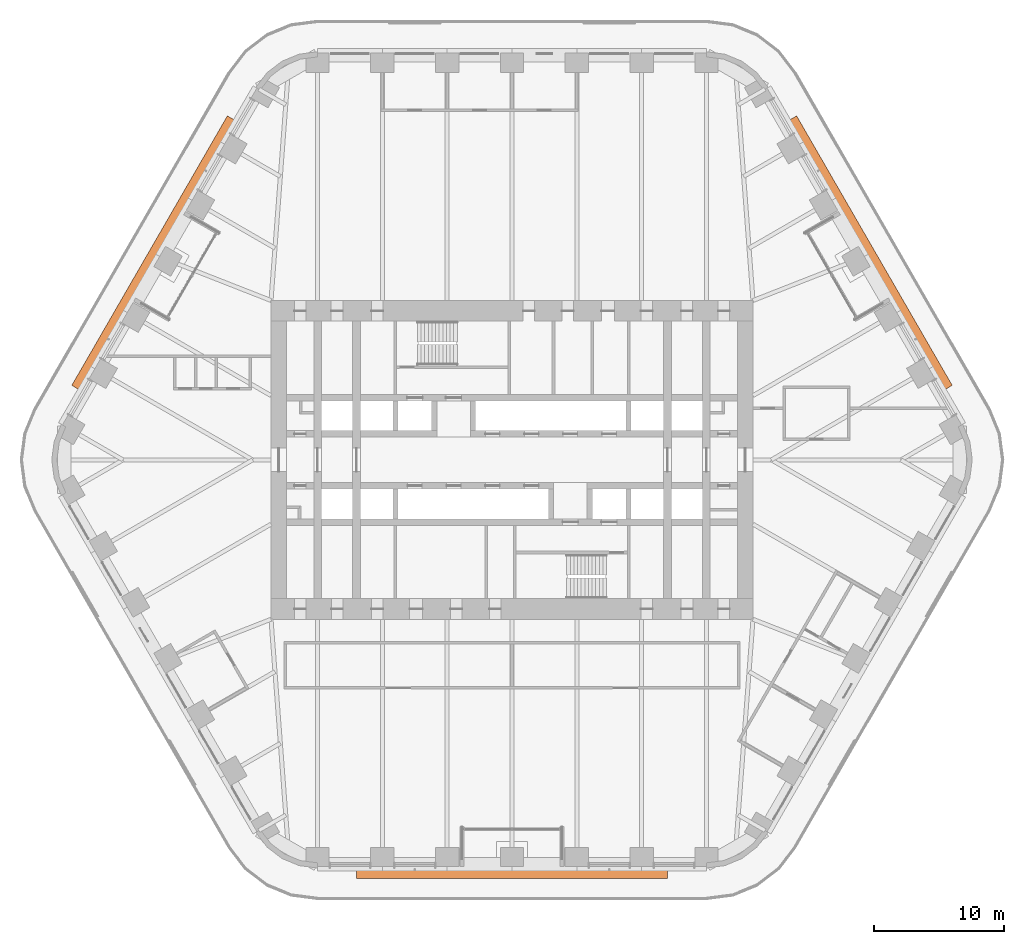
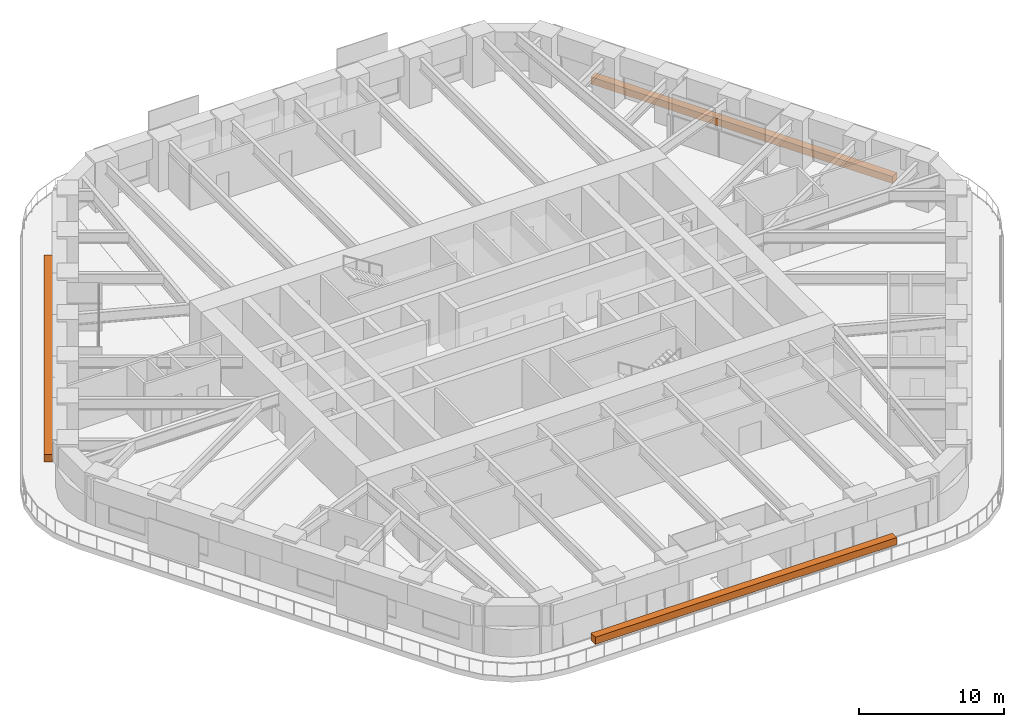
# One storey, part 24 of 24: 3 proxies.
"""IFC4 building model written with IfcOpenShell, lengths in metres."""

from ifc_helpers import new_model, si_unit, direction, frame, origin, origin_2d, place, context, subcontext, project, spatial, rectangle, extrude, material, element, save


model = new_model("IFC4")

# Units and contexts
model_context = context("Model", 3, precision=1e-05, world=origin(), true_north=direction((0.0, 1.0)))
body_context = subcontext(model_context, "Body", "Model", "MODEL_VIEW")
ifc_project = project(units=[si_unit("LENGTHUNIT", "METRE"), si_unit("AREAUNIT", "SQUARE_METRE"), si_unit("VOLUMEUNIT", "CUBIC_METRE"), si_unit("PLANEANGLEUNIT", "RADIAN"), si_unit("MASSUNIT", "GRAM", prefix="KILO")], contexts=[model_context])

# Site, building, storey
site_placement = place(None, origin())
site = spatial("IfcSite", under=ifc_project, at=site_placement, CompositionType="ELEMENT")
building_placement = place(site_placement, origin())
building = spatial("IfcBuilding", under=site, at=building_placement, Name="Tarfa Lantern Tower", CompositionType="ELEMENT")
storey_placement = place(building_placement, frame((0.0, 0.0, 123.699951171875)))
storey = spatial("IfcBuildingStorey", under=building, at=storey_placement, Name="L27", CompositionType="ELEMENT", Elevation=123.699951171875)

# Proxies
ifc_material = material(Name="Planting bed")
for number, where, z_axis, x_axis, name in (
    (1, (27.712890625, 16.0, 0.0), (0.0, 0.0, 1.0), (-0.5, 0.866025403784, 0.0), "Balcony planter"),
    (2, (-27.712890625, 16.0, 0.0), (0.0, 0.0, 1.0), (-0.5, -0.866025403784, 0.0), "Balcony planter"),
    (3, (0.0, -32.0, 0.0), (0.0, 0.0, 1.0), (1.0, 0.0, 0.0), "Balcony planter"),
):
    element("IfcBuildingElementProxy", number, at=place(storey_placement, frame(where, z_axis=z_axis, x_axis=x_axis)), inside=storey, material=ifc_material, Name=name, ObjectType="PLANTER", PredefinedType="USERDEFINED", context=body_context, shape_type="SweptSolid", body=[
        extrude(rectangle(XDim=24.017822265625, YDim=0.60009765625, at=origin_2d()), origin(), (0.0, 0.0, 1.0), 0.60009765625),
    ])

save(model, "model.ifc")
